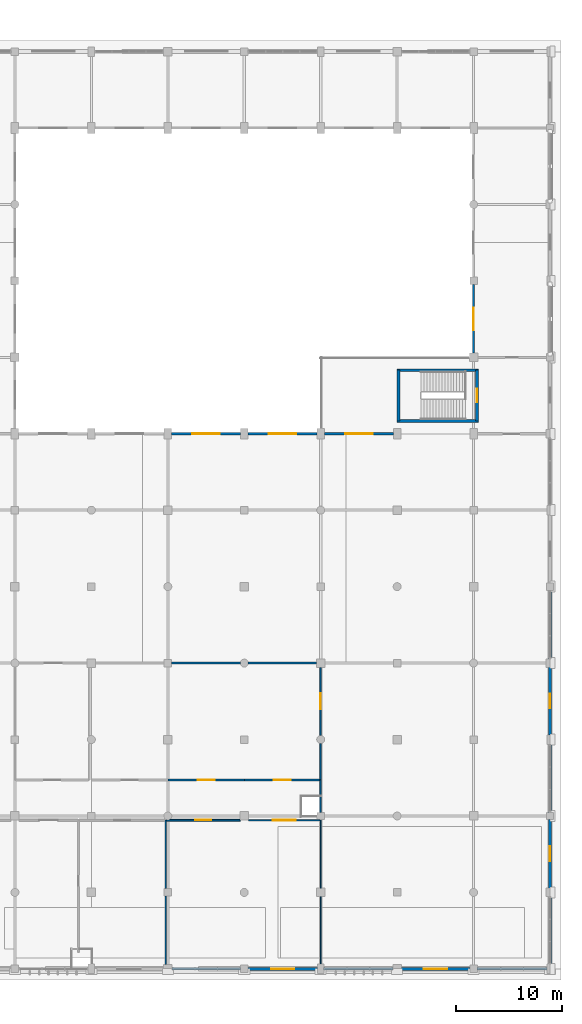
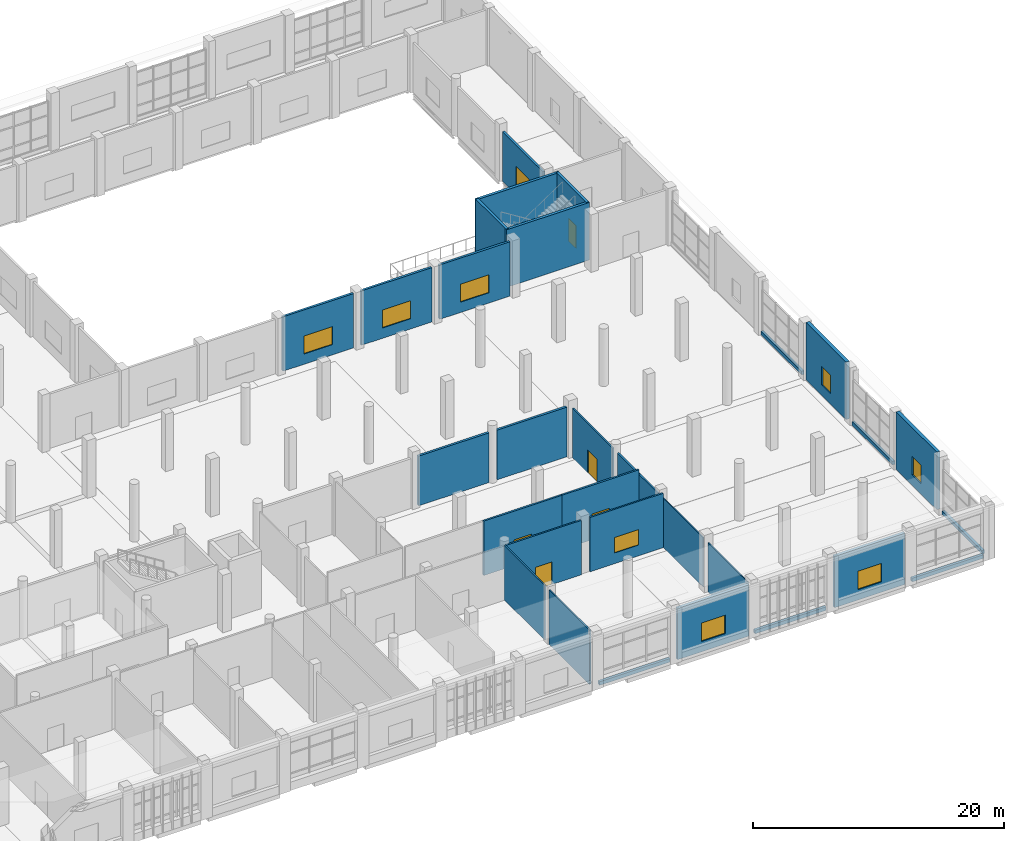
# One storey, part 59 of 80: 31 walls, 11 windows, 3 doors, 14 openings.
"""IFC4 building model written with IfcOpenShell, lengths in metres."""

from ifc_helpers import new_model, si_unit, direction, frame, frame_2d, origin, place, context, subcontext, project, spatial, rectangle, extrude, material, layer, layer_set, type_object, element, fill, save


model = new_model("IFC4")

# Units and contexts
model_context = context("Model", 3, precision=1e-05, world=origin(), true_north=direction((0.0, 1.0)))
body_context = subcontext(model_context, "Body", "Model", "MODEL_VIEW")
ifc_project = project(units=[si_unit("LENGTHUNIT", "METRE"), si_unit("AREAUNIT", "SQUARE_METRE"), si_unit("VOLUMEUNIT", "CUBIC_METRE"), si_unit("PLANEANGLEUNIT", "RADIAN"), si_unit("MASSUNIT", "GRAM", prefix="KILO")], contexts=[model_context])

# Site, building, storey
site_placement = place(None, origin())
site = spatial("IfcSite", under=ifc_project, at=site_placement, CompositionType="ELEMENT")
building_placement = place(site_placement, origin())
building = spatial("IfcBuilding", under=site, at=building_placement, Name="Sardonyx Promenade Sports Hall", CompositionType="ELEMENT")
storey_placement = place(building_placement, frame((0.0, 0.0, 5.60009765625)))
storey = spatial("IfcBuildingStorey", under=building, at=storey_placement, Name="L01", CompositionType="ELEMENT", Elevation=5.60009765625)

# Wall, opening, window
ifc_material_1 = material(Name="Concrete C40/50", Category="concrete")
ifc_layer_1 = layer(ifc_material_1, 0.300048828125)
ifc_layer_set_1 = layer_set([ifc_layer_1], Name="Wall_Ext_Hall_300")
wall_type_1 = type_object("IfcWallType", Name="Wall_Ext_Hall_300", PredefinedType="SOLIDWALL", material=ifc_layer_set_1)
wall_1_placement = place(storey_placement, frame((165.60009765625, 28.4150390625, 0.0), z_axis=(0.0, 0.0, 1.0), x_axis=(0.0, -1.0, 0.0)))
wall_1 = element("IfcWall", 1, at=wall_1_placement, inside=storey, type_object=wall_type_1, Name="Exterior wall EW04 L01 #112", PredefinedType="SOLIDWALL", context=body_context, shape_type="SweptSolid", body=[
    extrude(rectangle(XDim=6.380126953125, YDim=0.300048828125, at=frame_2d((3.18994140625, 0.0))), origin(), (0.0, 0.0, 1.0), 5.599853515625),
])
opening_1_placement = place(wall_1_placement, frame((2.489990234375, 0.0, 1.0)))
opening_1 = element("IfcOpeningElement", 2, at=opening_1_placement, cuts=wall_1, Name="Opening W05", PredefinedType="OPENING", context=body_context, shape_type="SweptSolid", body=[
    extrude(rectangle(XDim=1.39990234375, YDim=1.800048828125, at=frame_2d((0.699951171875, 0.89990234375))), frame((0.0, 0.16, 0.0), z_axis=(0.0, -1.0, 0.0), x_axis=(1.0, 0.0, 0.0)), (0.0, 0.0, 1.0), 0.32),
])
ifc_material_2 = material(Name="Double-glazed solar low-E aluminium window", Category="aluminium")
window_type_1 = type_object("IfcWindowType", Name="Win_Clinic_140x180", PartitioningType="SINGLE_PANEL", PredefinedType="WINDOW", material=ifc_material_2)
window_1_placement = place(opening_1_placement, origin())
window_1 = element("IfcWindow", 3, at=window_1_placement, inside=storey, type_object=window_type_1, Name="Facade window W05 L01 #47", OverallHeight=1.800048828125, OverallWidth=1.39990234375, PartitioningType="SINGLE_PANEL", PredefinedType="WINDOW", context=body_context, shape_type="SweptSolid", body=[
    extrude(rectangle(XDim=1.39990234375, YDim=1.800048828125, at=frame_2d((0.699951171875, 0.89990234375))), frame((0.0, 0.030029296875, 0.0), z_axis=(0.0, -1.0, 0.0), x_axis=(1.0, 0.0, 0.0)), (0.0, 0.0, 1.0), 0.06005859375),
])
fill(opening_1, window_1)

wall_2_placement = place(storey_placement, frame((165.60009765625, 14.06494140625, 0.0), z_axis=(0.0, 0.0, 1.0), x_axis=(0.0, -1.0, 0.0)))
wall_2 = element("IfcWall", 4, at=wall_2_placement, inside=storey, type_object=wall_type_1, Name="Exterior wall EW04 L01 #114", PredefinedType="SOLIDWALL", context=body_context, shape_type="SweptSolid", body=[
    extrude(rectangle(XDim=6.47998046875, YDim=0.300048828125, at=frame_2d((3.239990234375, 0.0))), origin(), (0.0, 0.0, 1.0), 5.599853515625),
])
opening_2_placement = place(wall_2_placement, frame((2.5400390625, 0.0, 1.0)))
opening_2 = element("IfcOpeningElement", 5, at=opening_2_placement, cuts=wall_2, Name="Opening W05", PredefinedType="OPENING", context=body_context, shape_type="SweptSolid", body=[
    extrude(rectangle(XDim=1.39990234375, YDim=1.800048828125, at=frame_2d((0.699951171875, 0.89990234375))), frame((0.0, 0.16, 0.0), z_axis=(0.0, -1.0, 0.0), x_axis=(1.0, 0.0, 0.0)), (0.0, 0.0, 1.0), 0.32),
])
window_2_placement = place(opening_2_placement, origin())
window_2 = element("IfcWindow", 6, at=window_2_placement, inside=storey, type_object=window_type_1, Name="Facade window W05 L01 #48", OverallHeight=1.800048828125, OverallWidth=1.39990234375, PartitioningType="SINGLE_PANEL", PredefinedType="WINDOW", context=body_context, shape_type="SweptSolid", body=[
    extrude(rectangle(XDim=1.39990234375, YDim=1.800048828125, at=frame_2d((0.699951171875, 0.89990234375))), frame((0.0, 0.030029296875, 0.0), z_axis=(0.0, -1.0, 0.0), x_axis=(1.0, 0.0, 0.0)), (0.0, 0.0, 1.0), 0.06005859375),
])
fill(opening_2, window_2)

# Walls
ifc_material_3 = material(Name="Masonry CMU 15 MPa", Category="masonry")
ifc_layer_2 = layer(ifc_material_3, 0.239990234375)
ifc_layer_set_2 = layer_set([ifc_layer_2], Name="Wall_Ext_Spandrel_240")
wall_type_2 = type_object("IfcWallType", Name="Wall_Ext_Spandrel_240", PredefinedType="SOLIDWALL", material=ifc_layer_set_2)
wall_3_placement = place(storey_placement, frame((165.31494140625, 0.0, 0.0), z_axis=(0.0, 0.0, 1.0), x_axis=(-1.0, 0.0, 0.0)))
element("IfcWall", 7, at=wall_3_placement, inside=storey, type_object=wall_type_2, Name="Curtain-wall sill spandrel L01 #31", PredefinedType="SOLIDWALL", context=body_context, shape_type="SweptSolid", body=[
    extrude(rectangle(XDim=6.579833984375, YDim=0.239990234375, at=frame_2d((3.2900390625, 0.0))), origin(), (0.0, 0.0, 1.0), 0.349853515625),
])
wall_4_placement = place(storey_placement, frame((150.81494140625, 0.0, 0.0), z_axis=(0.0, 0.0, 1.0), x_axis=(-1.0, 0.0, 0.0)))
element("IfcWall", 8, at=wall_4_placement, inside=storey, type_object=wall_type_2, Name="Curtain-wall sill spandrel L01 #33", PredefinedType="SOLIDWALL", context=body_context, shape_type="SweptSolid", body=[
    extrude(rectangle(XDim=6.530029296875, YDim=0.239990234375, at=frame_2d((3.26513671875, 0.0))), origin(), (0.0, 0.0, 1.0), 0.349853515625),
])
for number, where, z_axis, x_axis, name in (
    (9, (136.465087890625, 0.0, 0.0), (0.0, 0.0, 1.0), (-1.0, 0.0, 0.0), "Curtain-wall sill spandrel L01 #35"),
    (10, (165.60009765625, 35.6650390625, 0.0), (0.0, 0.0, 1.0), (0.0, -1.0, 0.0), "Curtain-wall sill spandrel L01 #111"),
):
    element("IfcWall", number, at=place(storey_placement, frame(where, z_axis=z_axis, x_axis=x_axis)), inside=storey, type_object=wall_type_2, Name=name, PredefinedType="SOLIDWALL", context=body_context, shape_type="SweptSolid", body=[
        extrude(rectangle(XDim=6.47998046875, YDim=0.239990234375, at=frame_2d((3.239990234375, 0.0))), origin(), (0.0, 0.0, 1.0), 0.349853515625),
    ])
wall_5_placement = place(storey_placement, frame((165.60009765625, 21.1650390625, 0.0), z_axis=(0.0, 0.0, 1.0), x_axis=(0.0, -1.0, 0.0)))
element("IfcWall", 11, at=wall_5_placement, inside=storey, type_object=wall_type_2, Name="Curtain-wall sill spandrel L01 #113", PredefinedType="SOLIDWALL", context=body_context, shape_type="SweptSolid", body=[
    extrude(rectangle(XDim=6.429931640625, YDim=0.239990234375, at=frame_2d((3.21484375, 0.0))), origin(), (0.0, 0.0, 1.0), 0.349853515625),
])
wall_6_placement = place(storey_placement, frame((165.60009765625, 6.81494140625, 0.0), z_axis=(0.0, 0.0, 1.0), x_axis=(0.0, -1.0, 0.0)))
element("IfcWall", 12, at=wall_6_placement, inside=storey, type_object=wall_type_2, Name="Curtain-wall sill spandrel L01 #115", PredefinedType="SOLIDWALL", context=body_context, shape_type="SweptSolid", body=[
    extrude(rectangle(XDim=6.3798828125, YDim=0.239990234375, at=frame_2d((3.18994140625, 0.0))), origin(), (0.0, 0.0, 1.0), 0.349853515625),
])

# Wall, opening, window
ifc_material_4 = material(Name="Concrete C40/50", Category="concrete")
ifc_layer_3 = layer(ifc_material_4, 0.280029296875)
ifc_layer_set_3 = layer_set([ifc_layer_3], Name="Wall_Ext_Wing_280")
wall_type_3 = type_object("IfcWallType", Name="Wall_Ext_Wing_280", PredefinedType="SOLIDWALL", material=ifc_layer_set_3)
wall_7_placement = place(storey_placement, frame((158.06494140625, 0.0, 0.0), z_axis=(0.0, 0.0, 1.0), x_axis=(-1.0, 0.0, 0.0)))
wall_7 = element("IfcWall", 13, at=wall_7_placement, inside=storey, type_object=wall_type_3, Name="Exterior wall EW02 L01 #32", PredefinedType="SOLIDWALL", context=body_context, shape_type="SweptSolid", body=[
    extrude(rectangle(XDim=6.47998046875, YDim=0.280029296875, at=frame_2d((3.239990234375, 0.0))), origin(), (0.0, 0.0, 1.0), 4.98486328125),
])
opening_3_placement = place(wall_7_placement, frame((2.139892578125, 0.0, 1.0)))
opening_3 = element("IfcOpeningElement", 14, at=opening_3_placement, cuts=wall_7, Name="Opening W13", PredefinedType="OPENING", context=body_context, shape_type="SweptSolid", body=[
    extrude(rectangle(XDim=2.199951171875, YDim=1.800048828125, at=frame_2d((1.10009765625, 0.89990234375))), frame((0.0, 0.15, 0.0), z_axis=(0.0, -1.0, 0.0), x_axis=(1.0, 0.0, 0.0)), (0.0, 0.0, 1.0), 0.3),
])
ifc_material_5 = material(Name="Double-glazed solar low-E aluminium window", Category="aluminium")
window_type_2 = type_object("IfcWindowType", Name="Win_Clinic_220x180", PartitioningType="DOUBLE_PANEL_VERTICAL", PredefinedType="WINDOW", material=ifc_material_5)
window_3_placement = place(opening_3_placement, origin())
window_3 = element("IfcWindow", 15, at=window_3_placement, inside=storey, type_object=window_type_2, Name="Facade window W13 L01 #9", OverallHeight=1.800048828125, OverallWidth=2.199951171875, PartitioningType="SINGLE_PANEL", PredefinedType="WINDOW", context=body_context, shape_type="SweptSolid", body=[
    extrude(rectangle(XDim=2.199951171875, YDim=1.800048828125, at=frame_2d((1.10009765625, 0.89990234375))), frame((0.0, 0.030029296875, 0.0), z_axis=(0.0, -1.0, 0.0), x_axis=(1.0, 0.0, 0.0)), (0.0, 0.0, 1.0), 0.06005859375),
])
fill(opening_3, window_3)

wall_8_placement = place(storey_placement, frame((143.715087890625, 0.0, 0.0), z_axis=(0.0, 0.0, 1.0), x_axis=(-1.0, 0.0, 0.0)))
wall_8 = element("IfcWall", 16, at=wall_8_placement, inside=storey, type_object=wall_type_3, Name="Exterior wall EW02 L01 #34", PredefinedType="SOLIDWALL", context=body_context, shape_type="SweptSolid", body=[
    extrude(rectangle(XDim=6.580078125, YDim=0.280029296875, at=frame_2d((3.2900390625, 0.0))), origin(), (0.0, 0.0, 1.0), 4.98486328125),
])
opening_4_placement = place(wall_8_placement, frame((2.18994140625, 0.0, 1.0)))
opening_4 = element("IfcOpeningElement", 17, at=opening_4_placement, cuts=wall_8, Name="Opening W13", PredefinedType="OPENING", context=body_context, shape_type="SweptSolid", body=[
    extrude(rectangle(XDim=2.199951171875, YDim=1.800048828125, at=frame_2d((1.10009765625, 0.89990234375))), frame((0.0, 0.15, 0.0), z_axis=(0.0, -1.0, 0.0), x_axis=(1.0, 0.0, 0.0)), (0.0, 0.0, 1.0), 0.3),
])
window_4_placement = place(opening_4_placement, origin())
window_4 = element("IfcWindow", 18, at=window_4_placement, inside=storey, type_object=window_type_2, Name="Facade window W13 L01 #10", OverallHeight=1.800048828125, OverallWidth=2.199951171875, PartitioningType="SINGLE_PANEL", PredefinedType="WINDOW", context=body_context, shape_type="SweptSolid", body=[
    extrude(rectangle(XDim=2.199951171875, YDim=1.800048828125, at=frame_2d((1.10009765625, 0.89990234375))), frame((0.0, 0.030029296875, 0.0), z_axis=(0.0, -1.0, 0.0), x_axis=(1.0, 0.0, 0.0)), (0.0, 0.0, 1.0), 0.06005859375),
])
fill(opening_4, window_4)

ifc_material_6 = material(Name="Twin-stud acoustic gypsum partition", Category="gypsum")
ifc_layer_4 = layer(ifc_material_6, 0.169921875)
ifc_layer_set_4 = layer_set([ifc_layer_4], Name="Wall_Part_Acoust_170")
wall_type_4 = type_object("IfcWallType", Name="Wall_Part_Acoust_170", PredefinedType="PARTITIONING", material=ifc_layer_set_4)
wall_9_placement = place(storey_placement, frame((129.610107421875, 17.800048828125, 0.0), z_axis=(0.0, 0.0, 1.0), x_axis=(1.0, 0.0, 0.0)))
wall_9 = element("IfcWall", 19, at=wall_9_placement, inside=storey, type_object=wall_type_4, Name="Interior partition PW06 L01 #235", PredefinedType="PARTITIONING", context=body_context, shape_type="SweptSolid", body=[
    extrude(rectangle(XDim=7.18994140625, YDim=0.169921875, at=frame_2d((3.594970703125, 0.0))), origin(), (0.0, 0.0, 1.0), 5.289794921875),
])
opening_5_placement = place(wall_9_placement, frame((2.794921875, 0.0, 1.10009765625)))
opening_5 = element("IfcOpeningElement", 20, at=opening_5_placement, cuts=wall_9, Name="Opening IW02", PredefinedType="OPENING", context=body_context, shape_type="SweptSolid", body=[
    extrude(rectangle(XDim=1.60009765625, YDim=1.39990234375, at=frame_2d((0.800048828125, 0.699951171875))), frame((0.0, 0.095, 0.0), z_axis=(0.0, -1.0, 0.0), x_axis=(1.0, 0.0, 0.0)), (0.0, 0.0, 1.0), 0.19),
])
ifc_material_7 = material(Name="Acoustic laminated sports viewing glazing EI 60", Category="glass")
window_type_3 = type_object("IfcWindowType", Name="IWin_Clinic_160x140", PartitioningType="DOUBLE_PANEL_VERTICAL", PredefinedType="WINDOW", material=ifc_material_7)
window_5_placement = place(opening_5_placement, origin())
window_5 = element("IfcWindow", 21, at=window_5_placement, inside=storey, type_object=window_type_3, Name="Internal viewing window IW02 L01 #4", OverallHeight=1.39990234375, OverallWidth=1.60009765625, PartitioningType="SINGLE_PANEL", PredefinedType="WINDOW", context=body_context, shape_type="SweptSolid", body=[
    extrude(rectangle(XDim=1.60009765625, YDim=1.39990234375, at=frame_2d((0.800048828125, 0.699951171875))), frame((0.0, 0.030029296875, 0.0), z_axis=(0.0, -1.0, 0.0), x_axis=(1.0, 0.0, 0.0)), (0.0, 0.0, 1.0), 0.06005859375),
])
fill(opening_5, window_5)

wall_10_placement = place(storey_placement, frame((136.81005859375, 17.800048828125, 0.0), z_axis=(0.0, 0.0, 1.0), x_axis=(1.0, 0.0, 0.0)))
wall_10 = element("IfcWall", 22, at=wall_10_placement, inside=storey, type_object=wall_type_4, Name="Interior partition PW06 L01 #236", PredefinedType="PARTITIONING", context=body_context, shape_type="SweptSolid", body=[
    extrude(rectangle(XDim=7.10498046875, YDim=0.169921875, at=frame_2d((3.552490234375, 0.0))), origin(), (0.0, 0.0, 1.0), 5.289794921875),
])
opening_6_placement = place(wall_10_placement, frame((2.75244140625, 0.0, 1.10009765625)))
opening_6 = element("IfcOpeningElement", 23, at=opening_6_placement, cuts=wall_10, Name="Opening IW02", PredefinedType="OPENING", context=body_context, shape_type="SweptSolid", body=[
    extrude(rectangle(XDim=1.60009765625, YDim=1.39990234375, at=frame_2d((0.800048828125, 0.699951171875))), frame((0.0, 0.095, 0.0), z_axis=(0.0, -1.0, 0.0), x_axis=(1.0, 0.0, 0.0)), (0.0, 0.0, 1.0), 0.19),
])
window_6_placement = place(opening_6_placement, origin())
window_6 = element("IfcWindow", 24, at=window_6_placement, inside=storey, type_object=window_type_3, Name="Internal viewing window IW02 L01 #5", OverallHeight=1.39990234375, OverallWidth=1.60009765625, PartitioningType="SINGLE_PANEL", PredefinedType="WINDOW", context=body_context, shape_type="SweptSolid", body=[
    extrude(rectangle(XDim=1.60009765625, YDim=1.39990234375, at=frame_2d((0.800048828125, 0.699951171875))), frame((0.0, 0.030029296875, 0.0), z_axis=(0.0, -1.0, 0.0), x_axis=(1.0, 0.0, 0.0)), (0.0, 0.0, 1.0), 0.06005859375),
])
fill(opening_6, window_6)

ifc_material_8 = material(Name="Masonry CMU 15 MPa", Category="masonry")
ifc_layer_5 = layer(ifc_material_8, 0.18994140625)
ifc_layer_set_5 = layer_set([ifc_layer_5], Name="Wall_Part_Block_190")
wall_type_5 = type_object("IfcWallType", Name="Wall_Part_Block_190", PredefinedType="PARTITIONING", material=ifc_layer_set_5)
wall_11_placement = place(storey_placement, frame((158.39990234375, 58.0, 0.0), z_axis=(0.0, 0.0, 1.0), x_axis=(0.0, 1.0, 0.0)))
wall_11 = element("IfcWall", 25, at=wall_11_placement, inside=storey, type_object=wall_type_5, Name="Interior partition PW03 L01 #466", PredefinedType="PARTITIONING", context=body_context, shape_type="SweptSolid", body=[
    extrude(rectangle(XDim=6.449951171875, YDim=0.18994140625, at=frame_2d((3.22509765625, 0.0))), origin(), (0.0, 0.0, 1.0), 4.809814453125),
])
opening_7_placement = place(wall_11_placement, frame((2.175048828125, 0.0, 1.0)))
opening_7 = element("IfcOpeningElement", 26, at=opening_7_placement, cuts=wall_11, Name="Opening IW04", PredefinedType="OPENING", context=body_context, shape_type="SweptSolid", body=[
    extrude(rectangle(XDim=2.10009765625, YDim=1.75, at=frame_2d((1.050048828125, 0.875))), frame((0.0, 0.105, 0.0), z_axis=(0.0, -1.0, 0.0), x_axis=(1.0, 0.0, 0.0)), (0.0, 0.0, 1.0), 0.21),
])
ifc_material_9 = material(Name="Acoustic laminated sports viewing glazing EI 60", Category="glass")
window_type_4 = type_object("IfcWindowType", Name="IWin_Prac_210x175", PartitioningType="DOUBLE_PANEL_VERTICAL", PredefinedType="WINDOW", material=ifc_material_9)
window_7_placement = place(opening_7_placement, origin())
window_7 = element("IfcWindow", 27, at=window_7_placement, inside=storey, type_object=window_type_4, Name="Internal viewing window IW04 L01 #54", OverallHeight=1.75, OverallWidth=2.10009765625, PartitioningType="SINGLE_PANEL", PredefinedType="WINDOW", context=body_context, shape_type="SweptSolid", body=[
    extrude(rectangle(XDim=2.10009765625, YDim=1.75, at=frame_2d((1.050048828125, 0.875))), frame((0.0, 0.030029296875, 0.0), z_axis=(0.0, -1.0, 0.0), x_axis=(1.0, 0.0, 0.0)), (0.0, 0.0, 1.0), 0.06005859375),
])
fill(opening_7, window_7)

# Walls
ifc_material_10 = material(Name="Masonry CMU 15 MPa", Category="masonry")
ifc_layer_6 = layer(ifc_material_10, 0.2099609375)
ifc_layer_set_6 = layer_set([ifc_layer_6], Name="Wall_Part_Block_210")
wall_type_6 = type_object("IfcWallType", Name="Wall_Part_Block_210", PredefinedType="PARTITIONING", material=ifc_layer_set_6)
wall_12_placement = place(storey_placement, frame((129.949951171875, 28.800048828125, 0.0), z_axis=(0.0, 0.0, 1.0), x_axis=(1.0, 0.0, 0.0)))
element("IfcWall", 28, at=wall_12_placement, inside=storey, type_object=wall_type_6, Name="Interior partition PW07 L01 #207", PredefinedType="PARTITIONING", context=body_context, shape_type="SweptSolid", body=[
    extrude(rectangle(XDim=6.47509765625, YDim=0.2099609375, at=frame_2d((3.237548828125, 0.0))), origin(), (0.0, 0.0, 1.0), 4.83642578125),
])
wall_13_placement = place(storey_placement, frame((137.175048828125, 28.800048828125, 0.0), z_axis=(0.0, 0.0, 1.0), x_axis=(1.0, 0.0, 0.0)))
element("IfcWall", 29, at=wall_13_placement, inside=storey, type_object=wall_type_6, Name="Interior partition PW07 L01 #208", PredefinedType="PARTITIONING", context=body_context, shape_type="SweptSolid", body=[
    extrude(rectangle(XDim=6.425048828125, YDim=0.2099609375, at=frame_2d((3.21240234375, 0.0))), origin(), (0.0, 0.0, 1.0), 4.83642578125),
])

# Wall, opening, window
wall_14_placement = place(storey_placement, frame((129.949951171875, 50.39990234375, 0.0), z_axis=(0.0, 0.0, 1.0), x_axis=(1.0, 0.0, 0.0)))
wall_14 = element("IfcWall", 30, at=wall_14_placement, inside=storey, type_object=wall_type_6, Name="Interior partition PW07 L01 #475", PredefinedType="PARTITIONING", context=body_context, shape_type="SweptSolid", body=[
    extrude(rectangle(XDim=6.5, YDim=0.2099609375, at=frame_2d((3.25, 0.0))), origin(), (0.0, 0.0, 1.0), 5.289794921875),
])
opening_8_placement = place(wall_14_placement, frame((1.949951171875, 0.0, 1.0)))
opening_8 = element("IfcOpeningElement", 31, at=opening_8_placement, cuts=wall_14, Name="Opening IW07", PredefinedType="OPENING", context=body_context, shape_type="SweptSolid", body=[
    extrude(rectangle(XDim=2.60009765625, YDim=1.75, at=frame_2d((1.300048828125, 0.875))), frame((0.0, 0.115, 0.0), z_axis=(0.0, -1.0, 0.0), x_axis=(1.0, 0.0, 0.0)), (0.0, 0.0, 1.0), 0.23),
])
ifc_material_11 = material(Name="Acoustic laminated sports viewing glazing EI 60", Category="glass")
window_type_5 = type_object("IfcWindowType", Name="IWin_Prac_260x175", PartitioningType="DOUBLE_PANEL_VERTICAL", PredefinedType="WINDOW", material=ifc_material_11)
window_8_placement = place(opening_8_placement, origin())
window_8 = element("IfcWindow", 32, at=window_8_placement, inside=storey, type_object=window_type_5, Name="Internal viewing window IW07 L01 #63", OverallHeight=1.75, OverallWidth=2.60009765625, PartitioningType="SINGLE_PANEL", PredefinedType="WINDOW", context=body_context, shape_type="SweptSolid", body=[
    extrude(rectangle(XDim=2.60009765625, YDim=1.75, at=frame_2d((1.300048828125, 0.875))), frame((0.0, 0.030029296875, 0.0), z_axis=(0.0, -1.0, 0.0), x_axis=(1.0, 0.0, 0.0)), (0.0, 0.0, 1.0), 0.06005859375),
])
fill(opening_8, window_8)

wall_15_placement = place(storey_placement, frame((137.14990234375, 50.39990234375, 0.0), z_axis=(0.0, 0.0, 1.0), x_axis=(1.0, 0.0, 0.0)))
wall_15 = element("IfcWall", 33, at=wall_15_placement, inside=storey, type_object=wall_type_6, Name="Interior partition PW07 L01 #477", PredefinedType="PARTITIONING", context=body_context, shape_type="SweptSolid", body=[
    extrude(rectangle(XDim=6.5, YDim=0.2099609375, at=frame_2d((3.25, 0.0))), origin(), (0.0, 0.0, 1.0), 5.289794921875),
])
opening_9_placement = place(wall_15_placement, frame((1.949951171875, 0.0, 1.0)))
opening_9 = element("IfcOpeningElement", 34, at=opening_9_placement, cuts=wall_15, Name="Opening IW07", PredefinedType="OPENING", context=body_context, shape_type="SweptSolid", body=[
    extrude(rectangle(XDim=2.60009765625, YDim=1.75, at=frame_2d((1.300048828125, 0.875))), frame((0.0, 0.115, 0.0), z_axis=(0.0, -1.0, 0.0), x_axis=(1.0, 0.0, 0.0)), (0.0, 0.0, 1.0), 0.23),
])
window_9_placement = place(opening_9_placement, origin())
window_9 = element("IfcWindow", 35, at=window_9_placement, inside=storey, type_object=window_type_5, Name="Internal viewing window IW07 L01 #65", OverallHeight=1.75, OverallWidth=2.60009765625, PartitioningType="SINGLE_PANEL", PredefinedType="WINDOW", context=body_context, shape_type="SweptSolid", body=[
    extrude(rectangle(XDim=2.60009765625, YDim=1.75, at=frame_2d((1.300048828125, 0.875))), frame((0.0, 0.030029296875, 0.0), z_axis=(0.0, -1.0, 0.0), x_axis=(1.0, 0.0, 0.0)), (0.0, 0.0, 1.0), 0.06005859375),
])
fill(opening_9, window_9)

wall_16_placement = place(storey_placement, frame((144.35009765625, 50.39990234375, 0.0), z_axis=(0.0, 0.0, 1.0), x_axis=(1.0, 0.0, 0.0)))
wall_16 = element("IfcWall", 36, at=wall_16_placement, inside=storey, type_object=wall_type_6, Name="Interior partition PW07 L01 #479", PredefinedType="PARTITIONING", context=body_context, shape_type="SweptSolid", body=[
    extrude(rectangle(XDim=6.5, YDim=0.2099609375, at=frame_2d((3.25, 0.0))), origin(), (0.0, 0.0, 1.0), 5.289794921875),
])
opening_10_placement = place(wall_16_placement, frame((1.949951171875, 0.0, 1.0)))
opening_10 = element("IfcOpeningElement", 37, at=opening_10_placement, cuts=wall_16, Name="Opening IW07", PredefinedType="OPENING", context=body_context, shape_type="SweptSolid", body=[
    extrude(rectangle(XDim=2.60009765625, YDim=1.75, at=frame_2d((1.300048828125, 0.875))), frame((0.0, 0.115, 0.0), z_axis=(0.0, -1.0, 0.0), x_axis=(1.0, 0.0, 0.0)), (0.0, 0.0, 1.0), 0.23),
])
window_10_placement = place(opening_10_placement, origin())
window_10 = element("IfcWindow", 38, at=window_10_placement, inside=storey, type_object=window_type_5, Name="Internal viewing window IW07 L01 #67", OverallHeight=1.75, OverallWidth=2.60009765625, PartitioningType="SINGLE_PANEL", PredefinedType="WINDOW", context=body_context, shape_type="SweptSolid", body=[
    extrude(rectangle(XDim=2.60009765625, YDim=1.75, at=frame_2d((1.300048828125, 0.875))), frame((0.0, 0.030029296875, 0.0), z_axis=(0.0, -1.0, 0.0), x_axis=(1.0, 0.0, 0.0)), (0.0, 0.0, 1.0), 0.06005859375),
])
fill(opening_10, window_10)

# Walls
ifc_material_12 = material(Name="Hygienic clinical stud partition", Category="gypsum")
ifc_layer_7 = layer(ifc_material_12, 0.1201171875)
ifc_layer_set_7 = layer_set([ifc_layer_7], Name="Wall_Part_Clinic_120")
wall_type_7 = type_object("IfcWallType", Name="Wall_Part_Clinic_120", PredefinedType="PARTITIONING", material=ifc_layer_set_7)
wall_17_placement = place(storey_placement, frame((129.39990234375, 0.39990234375, 0.0), z_axis=(0.0, 0.0, 1.0), x_axis=(0.0, 1.0, 0.0)))
element("IfcWall", 39, at=wall_17_placement, inside=storey, type_object=wall_type_7, Name="Interior partition PW02 L01 #165", PredefinedType="PARTITIONING", context=body_context, shape_type="SweptSolid", body=[
    extrude(rectangle(XDim=6.4501953125, YDim=0.1201171875, at=frame_2d((3.22509765625, 0.0))), origin(), (0.0, 0.0, 1.0), 5.289794921875),
])
wall_18_placement = place(storey_placement, frame((129.39990234375, 7.550048828125, 0.0), z_axis=(0.0, 0.0, 1.0), x_axis=(0.0, 1.0, 0.0)))
element("IfcWall", 40, at=wall_18_placement, inside=storey, type_object=wall_type_7, Name="Interior partition PW02 L01 #166", PredefinedType="PARTITIONING", context=body_context, shape_type="SweptSolid", body=[
    extrude(rectangle(XDim=6.449951171875, YDim=0.1201171875, at=frame_2d((3.22509765625, 0.0))), origin(), (0.0, 0.0, 1.0), 5.289794921875),
])
ifc_material_13 = material(Name="Fire-rated stud gypsum partition", Category="gypsum")
ifc_layer_8 = layer(ifc_material_13, 0.14990234375)
ifc_layer_set_8 = layer_set([ifc_layer_8], Name="Wall_Part_Corridor_150")
wall_type_8 = type_object("IfcWallType", Name="Wall_Part_Corridor_150", PredefinedType="PARTITIONING", material=ifc_layer_set_8)
wall_19_placement = place(storey_placement, frame((144.0, 17.800048828125, 0.0), z_axis=(0.0, 0.0, 1.0), x_axis=(0.0, 1.0, 0.0)))
element("IfcWall", 41, at=wall_19_placement, inside=storey, type_object=wall_type_8, Name="Interior partition PW04 L01 #192", PredefinedType="PARTITIONING", context=body_context, shape_type="SweptSolid", body=[
    extrude(rectangle(XDim=3.425048828125, YDim=0.14990234375, at=frame_2d((1.71240234375, 0.0))), origin(), (0.0, 0.0, 1.0), 4.789794921875),
])

# Wall, opening, door
wall_20_placement = place(storey_placement, frame((144.0, 21.97509765625, 0.0), z_axis=(0.0, 0.0, 1.0), x_axis=(0.0, 1.0, 0.0)))
wall_20 = element("IfcWall", 42, at=wall_20_placement, inside=storey, type_object=wall_type_8, Name="Interior partition PW04 L01 #193", PredefinedType="PARTITIONING", context=body_context, shape_type="SweptSolid", body=[
    extrude(rectangle(XDim=6.4248046875, YDim=0.14990234375, at=frame_2d((3.21240234375, 0.0))), origin(), (0.0, 0.0, 1.0), 4.789794921875),
])
opening_11_placement = place(wall_20_placement, frame((2.46240234375, 0.0, 0.0)))
opening_11 = element("IfcOpeningElement", 43, at=opening_11_placement, cuts=wall_20, Name="Opening ID10", PredefinedType="OPENING", context=body_context, shape_type="SweptSolid", body=[
    extrude(rectangle(XDim=1.5, YDim=2.199951171875, at=frame_2d((0.75, 1.10009765625))), frame((0.0, 0.085, 0.0), z_axis=(0.0, -1.0, 0.0), x_axis=(1.0, 0.0, 0.0)), (0.0, 0.0, 1.0), 0.17),
])
ifc_material_14 = material(Name="Double studio entrance fire door FD30S", Category="wood")
door_type_1 = type_object("IfcDoorType", Name="Door_Corr_FD30_150x220", OperationType="NOTDEFINED", PredefinedType="DOOR", material=ifc_material_14)
door_1_placement = place(opening_11_placement, origin())
door_1 = element("IfcDoor", 44, at=door_1_placement, inside=storey, type_object=door_type_1, Name="Interior door D01-049", OperationType="DOUBLE_DOOR_SINGLE_SWING", OverallHeight=2.199951171875, OverallWidth=1.5, PredefinedType="DOOR", context=body_context, shape_type="SweptSolid", body=[
    extrude(rectangle(XDim=1.5, YDim=2.199951171875, at=frame_2d((0.75, 1.10009765625))), frame((0.0, 0.02490234375, 0.0), z_axis=(0.0, -1.0, 0.0), x_axis=(1.0, 0.0, 0.0)), (0.0, 0.0, 1.0), 0.050048828125),
])
fill(opening_11, door_1)

# Wall
wall_21_placement = place(storey_placement, frame((144.0, 14.75, 0.0), z_axis=(0.0, 0.0, 1.0), x_axis=(0.0, 1.0, 0.0)))
element("IfcWall", 45, at=wall_21_placement, inside=storey, type_object=wall_type_8, Name="Interior partition PW04 L01 #195", PredefinedType="PARTITIONING", context=body_context, shape_type="SweptSolid", body=[
    extrude(rectangle(XDim=3.0400390625, YDim=0.14990234375, at=frame_2d((1.52001953125, 0.0))), origin(), (0.0, 0.0, 1.0), 4.789794921875),
])

# Wall, opening, door
wall_22_placement = place(storey_placement, frame((129.469970703125, 14.0, 0.0), z_axis=(0.0, 0.0, 1.0), x_axis=(1.0, 0.0, 0.0)))
wall_22 = element("IfcWall", 46, at=wall_22_placement, inside=storey, type_object=wall_type_8, Name="Interior partition PW04 L01 #225", PredefinedType="PARTITIONING", context=body_context, shape_type="SweptSolid", body=[
    extrude(rectangle(XDim=6.929931640625, YDim=0.14990234375, at=frame_2d((3.46484375, 0.0))), origin(), (0.0, 0.0, 1.0), 5.289794921875),
])
opening_12_placement = place(wall_22_placement, frame((2.715087890625, 0.0, 0.0)))
opening_12 = element("IfcOpeningElement", 47, at=opening_12_placement, cuts=wall_22, Name="Opening ID10", PredefinedType="OPENING", context=body_context, shape_type="SweptSolid", body=[
    extrude(rectangle(XDim=1.5, YDim=2.199951171875, at=frame_2d((0.75, 1.10009765625))), frame((0.0, 0.085, 0.0), z_axis=(0.0, -1.0, 0.0), x_axis=(1.0, 0.0, 0.0)), (0.0, 0.0, 1.0), 0.17),
])
door_2_placement = place(opening_12_placement, origin())
door_2 = element("IfcDoor", 48, at=door_2_placement, inside=storey, type_object=door_type_1, Name="Interior door D01-067", OperationType="DOUBLE_DOOR_SINGLE_SWING", OverallHeight=2.199951171875, OverallWidth=1.5, PredefinedType="DOOR", context=body_context, shape_type="SweptSolid", body=[
    extrude(rectangle(XDim=1.5, YDim=2.199951171875, at=frame_2d((0.75, 1.10009765625))), frame((0.0, 0.02490234375, 0.0), z_axis=(0.0, -1.0, 0.0), x_axis=(1.0, 0.0, 0.0)), (0.0, 0.0, 1.0), 0.050048828125),
])
fill(opening_12, door_2)

# Wall, opening, window
wall_23_placement = place(storey_placement, frame((137.199951171875, 14.0, 0.0), z_axis=(0.0, 0.0, 1.0), x_axis=(1.0, 0.0, 0.0)))
wall_23 = element("IfcWall", 49, at=wall_23_placement, inside=storey, type_object=wall_type_8, Name="Interior partition PW04 L01 #226", PredefinedType="PARTITIONING", context=body_context, shape_type="SweptSolid", body=[
    extrude(rectangle(XDim=6.739990234375, YDim=0.14990234375, at=frame_2d((3.3701171875, 0.0))), origin(), (0.0, 0.0, 1.0), 5.289794921875),
])
opening_13_placement = place(wall_23_placement, frame((2.27001953125, 0.0, 1.050048828125)))
opening_13 = element("IfcOpeningElement", 50, at=opening_13_placement, cuts=wall_23, Name="Opening IW01", PredefinedType="OPENING", context=body_context, shape_type="SweptSolid", body=[
    extrude(rectangle(XDim=2.199951171875, YDim=1.5, at=frame_2d((1.10009765625, 0.75))), frame((0.0, 0.085, 0.0), z_axis=(0.0, -1.0, 0.0), x_axis=(1.0, 0.0, 0.0)), (0.0, 0.0, 1.0), 0.17),
])
ifc_material_15 = material(Name="Acoustic laminated sports viewing glazing EI 60", Category="glass")
window_type_6 = type_object("IfcWindowType", Name="IWin_Studio_220x150", PartitioningType="DOUBLE_PANEL_VERTICAL", PredefinedType="WINDOW", material=ifc_material_15)
window_11_placement = place(opening_13_placement, origin())
window_11 = element("IfcWindow", 51, at=window_11_placement, inside=storey, type_object=window_type_6, Name="Internal viewing window IW01 L01 #2", OverallHeight=1.5, OverallWidth=2.199951171875, PartitioningType="SINGLE_PANEL", PredefinedType="WINDOW", context=body_context, shape_type="SweptSolid", body=[
    extrude(rectangle(XDim=2.199951171875, YDim=1.5, at=frame_2d((1.10009765625, 0.75))), frame((0.0, 0.030029296875, 0.0), z_axis=(0.0, -1.0, 0.0), x_axis=(1.0, 0.0, 0.0)), (0.0, 0.0, 1.0), 0.06005859375),
])
fill(opening_13, window_11)

# Walls
ifc_material_16 = material(Name="Lightweight steel-stud partition", Category="steel")
ifc_layer_9 = layer(ifc_material_16, 0.10009765625)
ifc_layer_set_9 = layer_set([ifc_layer_9], Name="Wall_Part_Light_100")
wall_type_9 = type_object("IfcWallType", Name="Wall_Part_Light_100", PredefinedType="PARTITIONING", material=ifc_layer_set_9)
wall_24_placement = place(storey_placement, frame((144.0, 0.449951171875, 0.0), z_axis=(0.0, 0.0, 1.0), x_axis=(0.0, 1.0, 0.0)))
element("IfcWall", 52, at=wall_24_placement, inside=storey, type_object=wall_type_9, Name="Interior partition PW01 L01 #167", PredefinedType="PARTITIONING", context=body_context, shape_type="SweptSolid", body=[
    extrude(rectangle(XDim=6.35009765625, YDim=0.10009765625, at=frame_2d((3.175048828125, 0.0))), origin(), (0.0, 0.0, 1.0), 4.789794921875),
])
wall_25_placement = place(storey_placement, frame((144.0, 7.60009765625, 0.0), z_axis=(0.0, 0.0, 1.0), x_axis=(0.0, 1.0, 0.0)))
element("IfcWall", 53, at=wall_25_placement, inside=storey, type_object=wall_type_9, Name="Interior partition PW01 L01 #168", PredefinedType="PARTITIONING", context=body_context, shape_type="SweptSolid", body=[
    extrude(rectangle(XDim=6.39990234375, YDim=0.10009765625, at=frame_2d((3.199951171875, 0.0))), origin(), (0.0, 0.0, 1.0), 4.789794921875),
])

# Wall, opening, door
ifc_material_17 = material(Name="Concrete C40/50", Category="concrete")
ifc_layer_10 = layer(ifc_material_17, 0.25)
ifc_layer_set_10 = layer_set([ifc_layer_10], Name="Wall_Stair_Shear_250")
wall_type_10 = type_object("IfcWallType", Name="Wall_Stair_Shear_250", PredefinedType="SHEAR", material=ifc_layer_set_10)
wall_26_placement = place(storey_placement, frame((158.72509765625, 56.39990234375, 0.0), z_axis=(0.0, 0.0, 1.0), x_axis=(0.0, -1.0, 0.0)))
wall_26 = element("IfcWall", 54, at=wall_26_placement, inside=storey, type_object=wall_type_10, Name="Stair shaft wall ST8 L01 entry", PredefinedType="SHEAR", context=body_context, shape_type="SweptSolid", body=[
    extrude(rectangle(XDim=4.7998046875, YDim=0.25, at=frame_2d((2.39990234375, 0.0))), origin(), (0.0, 0.0, 1.0), 5.599853515625),
])
opening_14_placement = place(wall_26_placement, frame((1.77490234375, 0.0, 0.0)))
opening_14 = element("IfcOpeningElement", 55, at=opening_14_placement, cuts=wall_26, Name="Opening ID13", PredefinedType="OPENING", context=body_context, shape_type="SweptSolid", body=[
    extrude(rectangle(XDim=1.25, YDim=2.199951171875, at=frame_2d((0.625, 1.10009765625))), frame((0.0, 0.135, 0.0), z_axis=(0.0, -1.0, 0.0), x_axis=(1.0, 0.0, 0.0)), (0.0, 0.0, 1.0), 0.27),
])
ifc_material_18 = material(Name="Solid-core hardwood fire door FD60S", Category="wood")
door_type_2 = type_object("IfcDoorType", Name="Door_Stair_FD60_125x220", OperationType="NOTDEFINED", PredefinedType="DOOR", material=ifc_material_18)
door_3_placement = place(opening_14_placement, origin())
door_3 = element("IfcDoor", 56, at=door_3_placement, inside=storey, type_object=door_type_2, Name="Protected stair door SD37 (ST8 L01)", OperationType="SINGLE_SWING_LEFT", OverallHeight=2.199951171875, OverallWidth=1.25, PredefinedType="DOOR", context=body_context, shape_type="SweptSolid", body=[
    extrude(rectangle(XDim=1.25, YDim=2.199951171875, at=frame_2d((0.625, 1.10009765625))), frame((0.0, 0.02490234375, 0.0), z_axis=(0.0, -1.0, 0.0), x_axis=(1.0, 0.0, 0.0)), (0.0, 0.0, 1.0), 0.050048828125),
])
fill(opening_14, door_3)

# Walls
wall_27_placement = place(storey_placement, frame((158.85009765625, 51.60009765625, 0.0), z_axis=(0.0, 0.0, 1.0), x_axis=(-1.0, 0.0, 0.0)))
element("IfcWall", 57, at=wall_27_placement, inside=storey, type_object=wall_type_10, Name="Stair shaft wall ST8 L01 N", PredefinedType="SHEAR", context=body_context, shape_type="SweptSolid", body=[
    extrude(rectangle(XDim=7.650146484375, YDim=0.25, at=frame_2d((3.8251953125, 0.0))), origin(), (0.0, 0.0, 1.0), 5.599853515625),
])
wall_28_placement = place(storey_placement, frame((151.324951171875, 51.60009765625, 0.0), z_axis=(0.0, 0.0, 1.0), x_axis=(0.0, 1.0, 0.0)))
element("IfcWall", 58, at=wall_28_placement, inside=storey, type_object=wall_type_10, Name="Stair shaft wall ST8 L01 E", PredefinedType="SHEAR", context=body_context, shape_type="SweptSolid", body=[
    extrude(rectangle(XDim=4.7998046875, YDim=0.25, at=frame_2d((2.39990234375, 0.0))), origin(), (0.0, 0.0, 1.0), 5.599853515625),
])
wall_29_placement = place(storey_placement, frame((151.199951171875, 56.39990234375, 0.0), z_axis=(0.0, 0.0, 1.0), x_axis=(1.0, 0.0, 0.0)))
element("IfcWall", 59, at=wall_29_placement, inside=storey, type_object=wall_type_10, Name="Stair shaft wall ST8 L01 S", PredefinedType="SHEAR", context=body_context, shape_type="SweptSolid", body=[
    extrude(rectangle(XDim=7.650146484375, YDim=0.25, at=frame_2d((3.8251953125, 0.0))), origin(), (0.0, 0.0, 1.0), 5.599853515625),
])

save(model, "model.ifc")
